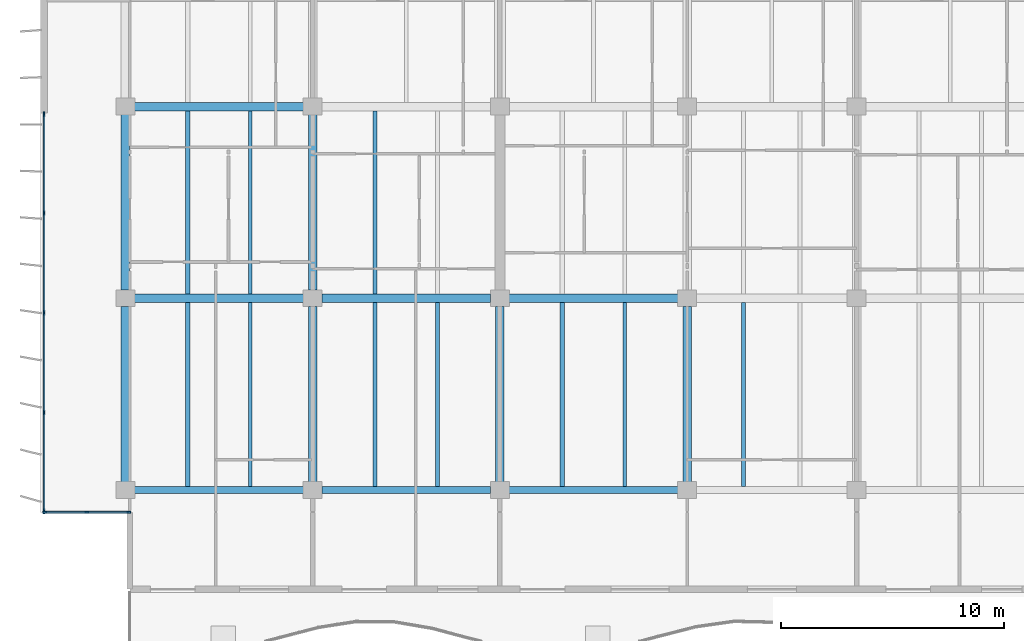
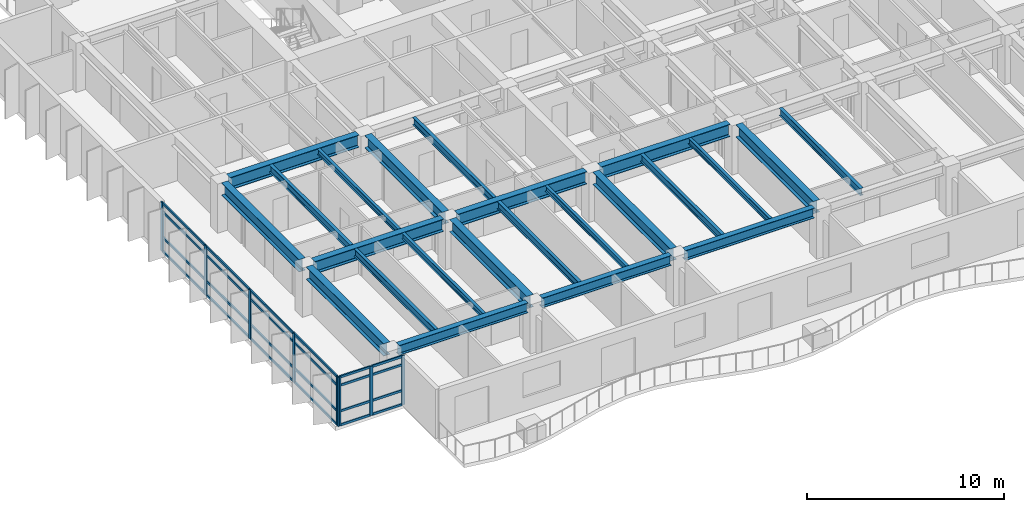
# One storey, part 2 of 19: 32 members, 23 beams, 2 elements without a shape of their own.
"""IFC4 building model written with IfcOpenShell, lengths in metres."""

from ifc_helpers import new_model, si_unit, direction, frame, origin, origin_2d, place, context, subcontext, project, spatial, rectangle, i_section, extrude, material, layer, layer_set, material_profile, profile_set, type_object, element, aggregate, save


model = new_model("IFC4")

# Units and contexts
model_context = context("Model", 3, precision=1e-05, world=origin(), true_north=direction((0.0, 1.0)))
body_context = subcontext(model_context, "Body", "Model", "MODEL_VIEW")
ifc_project = project(units=[si_unit("LENGTHUNIT", "METRE"), si_unit("AREAUNIT", "SQUARE_METRE"), si_unit("VOLUMEUNIT", "CUBIC_METRE"), si_unit("PLANEANGLEUNIT", "RADIAN"), si_unit("MASSUNIT", "GRAM", prefix="KILO")], contexts=[model_context])

# Site, building, storey
site_placement = place(None, origin())
site = spatial("IfcSite", under=ifc_project, at=site_placement, CompositionType="ELEMENT")
building_placement = place(site_placement, origin())
building = spatial("IfcBuilding", under=site, at=building_placement, Name="Caelmar Bay Residences", CompositionType="ELEMENT")
storey_placement = place(building_placement, frame((0.0, 0.0, 160.5)))
storey = spatial("IfcBuildingStorey", under=building, at=storey_placement, Name="L44", CompositionType="ELEMENT", Elevation=160.5)

# Beams
ifc_material_1 = material(Name="Steel ASTM A992 Grade 50", Category="steel")
ifc_material_profile_1 = material_profile(ifc_material_1, i_section(OverallWidth=0.381103515625, OverallDepth=0.77197265625, WebThickness=0.0166015625, FlangeThickness=0.027099609375, FilletRadius=0.0166015625, at=origin_2d()), Name="W30X173")
ifc_profile_set_1 = profile_set([ifc_material_profile_1], Name="Steel ASTM A992 Grade 50")
beam_type_1 = type_object("IfcBeamType", Name="BM-GRD-W30X173", PredefinedType="BEAM", material=ifc_profile_set_1)
beam_1_placement = place(storey_placement, frame((10.31494140625, 20.800048828125, 2.6640625), z_axis=(1.0, 0.0, 0.0), x_axis=(0.0, 1.0, 0.0)))
element("IfcBeam", 1, at=beam_1_placement, inside=storey, type_object=beam_type_1, Name="L44 East-West Girder Y=20.80 (9.9-18.3)", PredefinedType="BEAM", context=body_context, shape_type="SweptSolid", body=[
    extrude(i_section(OverallWidth=0.381103515625, OverallDepth=0.77197265625, WebThickness=0.0166015625, FlangeThickness=0.027099609375, FilletRadius=0.0166015625, at=origin_2d()), origin(), (0.0, 0.0, 1.0), 7.570068359375),
])
beam_2_placement = place(storey_placement, frame((18.715087890625, 20.800048828125, 2.6640625), z_axis=(1.0, 0.0, 0.0), x_axis=(0.0, 1.0, 0.0)))
element("IfcBeam", 2, at=beam_2_placement, inside=storey, type_object=beam_type_1, Name="L44 East-West Girder Y=20.80 (18.3-26.7)", PredefinedType="BEAM", context=body_context, shape_type="SweptSolid", body=[
    extrude(i_section(OverallWidth=0.381103515625, OverallDepth=0.77197265625, WebThickness=0.0166015625, FlangeThickness=0.027099609375, FilletRadius=0.0166015625, at=origin_2d()), origin(), (0.0, 0.0, 1.0), 7.56982421875),
])
for number, where, z_axis, x_axis, name in (
    (3, (27.114990234375, 20.800048828125, 2.6640625), (1.0, 0.0, 0.0), (0.0, 1.0, 0.0), "L44 East-West Girder Y=20.80 (26.7-35.1)"),
    (4, (10.31494140625, 29.39990234375, 2.6640625), (1.0, 0.0, 0.0), (0.0, 1.0, 0.0), "L44 East-West Girder Y=29.40 (9.9-18.3)"),
):
    element("IfcBeam", number, at=place(storey_placement, frame(where, z_axis=z_axis, x_axis=x_axis)), inside=storey, type_object=beam_type_1, Name=name, PredefinedType="BEAM", context=body_context, shape_type="SweptSolid", body=[
        extrude(i_section(OverallWidth=0.381103515625, OverallDepth=0.77197265625, WebThickness=0.0166015625, FlangeThickness=0.027099609375, FilletRadius=0.0166015625, at=origin_2d()), origin(), (0.0, 0.0, 1.0), 7.570068359375),
    ])
beam_3_placement = place(storey_placement, frame((9.89990234375, 12.56494140625, 2.6640625), z_axis=(0.0, 1.0, 0.0), x_axis=(-1.0, 0.0, 0.0)))
element("IfcBeam", 5, at=beam_3_placement, inside=storey, type_object=beam_type_1, Name="L44 North-South Girder X=9.90 (12.2-20.8)", PredefinedType="BEAM", context=body_context, shape_type="SweptSolid", body=[
    extrude(i_section(OverallWidth=0.381103515625, OverallDepth=0.77197265625, WebThickness=0.0166015625, FlangeThickness=0.027099609375, FilletRadius=0.0166015625, at=origin_2d()), origin(), (0.0, 0.0, 1.0), 7.8701171875),
])
beam_4_placement = place(storey_placement, frame((9.89990234375, 21.1650390625, 2.6640625), z_axis=(0.0, 1.0, 0.0), x_axis=(-1.0, 0.0, 0.0)))
element("IfcBeam", 6, at=beam_4_placement, inside=storey, type_object=beam_type_1, Name="L44 North-South Girder X=9.90 (20.8-29.4)", PredefinedType="BEAM", context=body_context, shape_type="SweptSolid", body=[
    extrude(i_section(OverallWidth=0.381103515625, OverallDepth=0.77197265625, WebThickness=0.0166015625, FlangeThickness=0.027099609375, FilletRadius=0.0166015625, at=origin_2d()), origin(), (0.0, 0.0, 1.0), 7.869873046875),
])
beam_5_placement = place(storey_placement, frame((18.300048828125, 12.56494140625, 2.6640625), z_axis=(0.0, 1.0, 0.0), x_axis=(-1.0, 0.0, 0.0)))
element("IfcBeam", 7, at=beam_5_placement, inside=storey, type_object=beam_type_1, Name="L44 North-South Girder X=18.30 (12.2-20.8)", PredefinedType="BEAM", context=body_context, shape_type="SweptSolid", body=[
    extrude(i_section(OverallWidth=0.381103515625, OverallDepth=0.77197265625, WebThickness=0.0166015625, FlangeThickness=0.027099609375, FilletRadius=0.0166015625, at=origin_2d()), origin(), (0.0, 0.0, 1.0), 7.8701171875),
])
beam_6_placement = place(storey_placement, frame((18.300048828125, 21.1650390625, 2.6640625), z_axis=(0.0, 1.0, 0.0), x_axis=(-1.0, 0.0, 0.0)))
element("IfcBeam", 8, at=beam_6_placement, inside=storey, type_object=beam_type_1, Name="L44 North-South Girder X=18.30 (20.8-29.4)", PredefinedType="BEAM", context=body_context, shape_type="SweptSolid", body=[
    extrude(i_section(OverallWidth=0.381103515625, OverallDepth=0.77197265625, WebThickness=0.0166015625, FlangeThickness=0.027099609375, FilletRadius=0.0166015625, at=origin_2d()), origin(), (0.0, 0.0, 1.0), 7.869873046875),
])
for number, where, z_axis, x_axis, name in (
    (9, (26.699951171875, 12.56494140625, 2.6640625), (0.0, 1.0, 0.0), (-1.0, 0.0, 0.0), "L44 North-South Girder X=26.70 (12.2-20.8)"),
    (10, (35.10009765625, 12.56494140625, 2.6640625), (0.0, 1.0, 0.0), (-1.0, 0.0, 0.0), "L44 North-South Girder X=35.10 (12.2-20.8)"),
):
    element("IfcBeam", number, at=place(storey_placement, frame(where, z_axis=z_axis, x_axis=x_axis)), inside=storey, type_object=beam_type_1, Name=name, PredefinedType="BEAM", context=body_context, shape_type="SweptSolid", body=[
        extrude(i_section(OverallWidth=0.381103515625, OverallDepth=0.77197265625, WebThickness=0.0166015625, FlangeThickness=0.027099609375, FilletRadius=0.0166015625, at=origin_2d()), origin(), (0.0, 0.0, 1.0), 7.8701171875),
    ])
ifc_material_profile_2 = material_profile(ifc_material_1, i_section(OverallWidth=0.1708984375, OverallDepth=0.35595703125, WebThickness=0.007080078125, FlangeThickness=0.01171875, FilletRadius=0.007568359375, at=origin_2d()), Name="W14X34")
ifc_profile_set_2 = profile_set([ifc_material_profile_2], Name="Steel ASTM A992 Grade 50")
beam_type_2 = type_object("IfcBeamType", Name="BM-JST-W14X34", PredefinedType="JOIST", material=ifc_profile_set_2)
for number, where, z_axis, x_axis, name in (
    (11, (15.5, 12.362548828125, 2.8720703125), (0.0, 1.0, 0.0), (-1.0, 0.0, 0.0), "L44 Composite Floor Joist 2"),
    (12, (23.89990234375, 12.362548828125, 2.8720703125), (0.0, 1.0, 0.0), (-1.0, 0.0, 0.0), "L44 Composite Floor Joist 4"),
    (13, (32.300048828125, 12.362548828125, 2.8720703125), (0.0, 1.0, 0.0), (-1.0, 0.0, 0.0), "L44 Composite Floor Joist 6"),
):
    element("IfcBeam", number, at=place(storey_placement, frame(where, z_axis=z_axis, x_axis=x_axis)), inside=storey, type_object=beam_type_2, Name=name, PredefinedType="JOIST", context=body_context, shape_type="SweptSolid", body=[
        extrude(i_section(OverallWidth=0.1708984375, OverallDepth=0.35595703125, WebThickness=0.007080078125, FlangeThickness=0.01171875, FilletRadius=0.007568359375, at=origin_2d()), origin(), (0.0, 0.0, 1.0), 8.2470703125),
    ])
beam_7_placement = place(storey_placement, frame((15.5, 20.990478515625, 2.8720703125), z_axis=(0.0, 1.0, 0.0), x_axis=(-1.0, 0.0, 0.0)))
element("IfcBeam", 14, at=beam_7_placement, inside=storey, type_object=beam_type_2, Name="L44 Composite Floor Joist 16", PredefinedType="JOIST", context=body_context, shape_type="SweptSolid", body=[
    extrude(i_section(OverallWidth=0.1708984375, OverallDepth=0.35595703125, WebThickness=0.007080078125, FlangeThickness=0.01171875, FilletRadius=0.007568359375, at=origin_2d()), origin(), (0.0, 0.0, 1.0), 8.218994140625),
])
ifc_material_profile_3 = material_profile(ifc_material_1, i_section(OverallWidth=0.19091796875, OverallDepth=0.45703125, WebThickness=0.009033203125, FlangeThickness=0.014404296875, FilletRadius=0.01025390625, at=origin_2d()), Name="W18X50")
ifc_profile_set_3 = profile_set([ifc_material_profile_3], Name="Steel ASTM A992 Grade 50")
beam_type_3 = type_object("IfcBeamType", Name="BM-JST-W18X50", PredefinedType="JOIST", material=ifc_profile_set_3)
for number, where, z_axis, x_axis, name in (
    (15, (12.699951171875, 12.362548828125, 2.821533203125), (0.0, 1.0, 0.0), (-1.0, 0.0, 0.0), "L44 Composite Floor Joist 1"),
    (16, (21.10009765625, 12.362548828125, 2.821533203125), (0.0, 1.0, 0.0), (-1.0, 0.0, 0.0), "L44 Composite Floor Joist 3"),
    (17, (29.5, 12.362548828125, 2.821533203125), (0.0, 1.0, 0.0), (-1.0, 0.0, 0.0), "L44 Composite Floor Joist 5"),
    (18, (37.63330078125, 12.362548828125, 2.821533203125), (0.0, 1.0, 0.0), (-1.0, 0.0, 0.0), "L44 Composite Floor Joist 7"),
):
    element("IfcBeam", number, at=place(storey_placement, frame(where, z_axis=z_axis, x_axis=x_axis)), inside=storey, type_object=beam_type_3, Name=name, PredefinedType="JOIST", context=body_context, shape_type="SweptSolid", body=[
        extrude(i_section(OverallWidth=0.19091796875, OverallDepth=0.45703125, WebThickness=0.009033203125, FlangeThickness=0.014404296875, FilletRadius=0.01025390625, at=origin_2d()), origin(), (0.0, 0.0, 1.0), 8.2470703125),
    ])
for number, where, z_axis, x_axis, name in (
    (19, (12.699951171875, 20.990478515625, 2.821533203125), (0.0, 1.0, 0.0), (-1.0, 0.0, 0.0), "L44 Composite Floor Joist 15"),
    (20, (21.10009765625, 20.990478515625, 2.821533203125), (0.0, 1.0, 0.0), (-1.0, 0.0, 0.0), "L44 Composite Floor Joist 17"),
):
    element("IfcBeam", number, at=place(storey_placement, frame(where, z_axis=z_axis, x_axis=x_axis)), inside=storey, type_object=beam_type_3, Name=name, PredefinedType="JOIST", context=body_context, shape_type="SweptSolid", body=[
        extrude(i_section(OverallWidth=0.19091796875, OverallDepth=0.45703125, WebThickness=0.009033203125, FlangeThickness=0.014404296875, FilletRadius=0.01025390625, at=origin_2d()), origin(), (0.0, 0.0, 1.0), 8.218994140625),
    ])
ifc_material_profile_4 = material_profile(ifc_material_1, i_section(OverallWidth=0.324951171875, OverallDepth=0.616943359375, WebThickness=0.013916015625, FlangeThickness=0.021484375, FilletRadius=0.0126953125, at=origin_2d()), Name="W24X117")
ifc_profile_set_4 = profile_set([ifc_material_profile_4], Name="Steel ASTM A992 Grade 50")
beam_type_4 = type_object("IfcBeamType", Name="BM-SPN-W24X117", PredefinedType="SPANDREL", material=ifc_profile_set_4)
beam_8_placement = place(storey_placement, frame((10.31494140625, 12.199951171875, 2.741455078125), z_axis=(1.0, 0.0, 0.0), x_axis=(0.0, 1.0, 0.0)))
element("IfcBeam", 21, at=beam_8_placement, inside=storey, type_object=beam_type_4, Name="L44 East-West Girder Y=12.20 (9.9-18.3)", PredefinedType="SPANDREL", context=body_context, shape_type="SweptSolid", body=[
    extrude(i_section(OverallWidth=0.324951171875, OverallDepth=0.616943359375, WebThickness=0.013916015625, FlangeThickness=0.021484375, FilletRadius=0.0126953125, at=origin_2d()), origin(), (0.0, 0.0, 1.0), 7.570068359375),
])
beam_9_placement = place(storey_placement, frame((18.715087890625, 12.199951171875, 2.741455078125), z_axis=(1.0, 0.0, 0.0), x_axis=(0.0, 1.0, 0.0)))
element("IfcBeam", 22, at=beam_9_placement, inside=storey, type_object=beam_type_4, Name="L44 East-West Girder Y=12.20 (18.3-26.7)", PredefinedType="SPANDREL", context=body_context, shape_type="SweptSolid", body=[
    extrude(i_section(OverallWidth=0.324951171875, OverallDepth=0.616943359375, WebThickness=0.013916015625, FlangeThickness=0.021484375, FilletRadius=0.0126953125, at=origin_2d()), origin(), (0.0, 0.0, 1.0), 7.56982421875),
])
beam_10_placement = place(storey_placement, frame((27.114990234375, 12.199951171875, 2.741455078125), z_axis=(1.0, 0.0, 0.0), x_axis=(0.0, 1.0, 0.0)))
element("IfcBeam", 23, at=beam_10_placement, inside=storey, type_object=beam_type_4, Name="L44 East-West Girder Y=12.20 (26.7-35.1)", PredefinedType="SPANDREL", context=body_context, shape_type="SweptSolid", body=[
    extrude(i_section(OverallWidth=0.324951171875, OverallDepth=0.616943359375, WebThickness=0.013916015625, FlangeThickness=0.021484375, FilletRadius=0.0126953125, at=origin_2d()), origin(), (0.0, 0.0, 1.0), 7.570068359375),
])

# Curtain wall, members
ifc_material_2 = material(Name="Anodised bronze aluminium 6063-T6 and laminated glass", Category="aluminium")
ifc_layer_1 = layer(ifc_material_2, 0.179931640625)
ifc_layer_set_1 = layer_set([ifc_layer_1], Name="Anodised bronze aluminium 6063-T6 and laminated glass")
curtain_wall_type_1 = type_object("IfcCurtainWallType", Name="CW6-NTC", PredefinedType="NOTDEFINED", material=ifc_layer_set_1)
curtain_wall_1_placement = place(storey_placement, origin())
curtain_wall_1 = element("IfcCurtainWall", 24, at=curtain_wall_1_placement, inside=storey, type_object=curtain_wall_type_1, Name="CW6 curtain wall L44", PredefinedType="NOTDEFINED")
ifc_material_3 = material(Name="Anodised bronze aluminium 6063-T6", Category="aluminium")
ifc_material_profile_5 = material_profile(ifc_material_3, rectangle(XDim=0.080078125, YDim=0.179931640625, at=origin_2d()), Name="CWM-80X180")
ifc_profile_set_5 = profile_set([ifc_material_profile_5], Name="Anodised bronze aluminium 6063-T6")
member_type_1 = type_object("IfcMemberType", Name="CWM-180", PredefinedType="MULLION", material=ifc_profile_set_5)
member_1_placement = place(storey_placement, frame((6.2900390625, 11.199951171875, 0.0), z_axis=(0.0, 0.0, 1.0), x_axis=(0.0, 1.0, 0.0)))
member_1 = element("IfcMember", 25, at=member_1_placement, type_object=member_type_1, Name="CW6 mullion 1", PredefinedType="MULLION", context=body_context, shape_type="SweptSolid", body=[
    extrude(rectangle(XDim=0.080078125, YDim=0.179931640625, at=origin_2d()), origin(), (0.0, 0.0, 1.0), 3.050048828125),
])
member_2_placement = place(storey_placement, frame((8.175048828125, 11.199951171875, 0.0), z_axis=(0.0, 0.0, 1.0), x_axis=(0.0, 1.0, 0.0)))
member_2 = element("IfcMember", 26, at=member_2_placement, type_object=member_type_1, Name="CW6 mullion 2", PredefinedType="MULLION", context=body_context, shape_type="SweptSolid", body=[
    extrude(rectangle(XDim=0.080078125, YDim=0.179931640625, at=origin_2d()), origin(), (0.0, 0.0, 1.0), 3.050048828125),
])
member_3_placement = place(storey_placement, frame((10.06005859375, 11.199951171875, 0.0), z_axis=(0.0, 0.0, 1.0), x_axis=(0.0, 1.0, 0.0)))
member_3 = element("IfcMember", 27, at=member_3_placement, type_object=member_type_1, Name="CW6 mullion 3", PredefinedType="MULLION", context=body_context, shape_type="SweptSolid", body=[
    extrude(rectangle(XDim=0.080078125, YDim=0.179931640625, at=origin_2d()), origin(), (0.0, 0.0, 1.0), 3.050048828125),
])

ifc_layer_2 = layer(ifc_material_2, 0.179931640625)
ifc_layer_set_2 = layer_set([ifc_layer_2], Name="Anodised bronze aluminium 6063-T6 and laminated glass")
curtain_wall_type_2 = type_object("IfcCurtainWallType", Name="CW4-Z3", PredefinedType="NOTDEFINED", material=ifc_layer_set_2)
curtain_wall_2_placement = place(storey_placement, origin())
curtain_wall_2 = element("IfcCurtainWall", 28, at=curtain_wall_2_placement, inside=storey, type_object=curtain_wall_type_2, Name="CW4 curtain wall L44", PredefinedType="NOTDEFINED")
ifc_material_profile_6 = material_profile(ifc_material_3, rectangle(XDim=0.080078125, YDim=0.219970703125, at=origin_2d()), Name="CWM-80X220")
ifc_profile_set_6 = profile_set([ifc_material_profile_6], Name="Anodised bronze aluminium 6063-T6")
member_type_2 = type_object("IfcMemberType", Name="CWM-220", PredefinedType="MULLION", material=ifc_profile_set_6)
member_4_placement = place(storey_placement, frame((6.25, 11.239990234375, 0.0), z_axis=(0.0, 0.0, 1.0), x_axis=(-1.0, 0.0, 0.0)))
member_4 = element("IfcMember", 29, at=member_4_placement, type_object=member_type_2, Name="CW4 mullion 1", PredefinedType="MULLION", context=body_context, shape_type="SweptSolid", body=[
    extrude(rectangle(XDim=0.080078125, YDim=0.219970703125, at=origin_2d()), origin(), (0.0, 0.0, 1.0), 3.050048828125),
])
member_5_placement = place(storey_placement, frame((6.25, 15.675048828125, 0.0), z_axis=(0.0, 0.0, 1.0), x_axis=(-1.0, 0.0, 0.0)))
member_5 = element("IfcMember", 30, at=member_5_placement, type_object=member_type_2, Name="CW4 mullion 2", PredefinedType="MULLION", context=body_context, shape_type="SweptSolid", body=[
    extrude(rectangle(XDim=0.080078125, YDim=0.219970703125, at=origin_2d()), origin(), (0.0, 0.0, 1.0), 3.050048828125),
])
member_6_placement = place(storey_placement, frame((6.25, 20.14990234375, 0.0), z_axis=(0.0, 0.0, 1.0), x_axis=(-1.0, 0.0, 0.0)))
member_6 = element("IfcMember", 31, at=member_6_placement, type_object=member_type_2, Name="CW4 mullion 3", PredefinedType="MULLION", context=body_context, shape_type="SweptSolid", body=[
    extrude(rectangle(XDim=0.080078125, YDim=0.219970703125, at=origin_2d()), origin(), (0.0, 0.0, 1.0), 3.050048828125),
])
member_7_placement = place(storey_placement, frame((6.25, 24.625, 0.0), z_axis=(0.0, 0.0, 1.0), x_axis=(-1.0, 0.0, 0.0)))
member_7 = element("IfcMember", 32, at=member_7_placement, type_object=member_type_2, Name="CW4 mullion 4", PredefinedType="MULLION", context=body_context, shape_type="SweptSolid", body=[
    extrude(rectangle(XDim=0.080078125, YDim=0.219970703125, at=origin_2d()), origin(), (0.0, 0.0, 1.0), 3.050048828125),
])
member_8_placement = place(storey_placement, frame((6.25, 29.06005859375, 0.0), z_axis=(0.0, 0.0, 1.0), x_axis=(-1.0, 0.0, 0.0)))
member_8 = element("IfcMember", 33, at=member_8_placement, type_object=member_type_2, Name="CW4 mullion 5", PredefinedType="MULLION", context=body_context, shape_type="SweptSolid", body=[
    extrude(rectangle(XDim=0.080078125, YDim=0.219970703125, at=origin_2d()), origin(), (0.0, 0.0, 1.0), 3.050048828125),
])

# Member
ifc_material_profile_7 = material_profile(ifc_material_3, rectangle(XDim=0.080078125, YDim=0.139892578125, at=origin_2d()), Name="CWT-80X140")
ifc_profile_set_7 = profile_set([ifc_material_profile_7], Name="Anodised bronze aluminium 6063-T6")
member_type_3 = type_object("IfcMemberType", Name="CWT-140", PredefinedType="NOTDEFINED", material=ifc_profile_set_7)
member_9_placement = place(storey_placement, frame((6.330078125, 11.199951171875, 0.0400390625), z_axis=(1.0, 0.0, 0.0), x_axis=(0.0, 1.0, 0.0)))
member_9 = element("IfcMember", 34, at=member_9_placement, type_object=member_type_3, Name="CW6 transom 1.1", ObjectType="TRANSOM", PredefinedType="USERDEFINED", context=body_context, shape_type="SweptSolid", body=[
    extrude(rectangle(XDim=0.080078125, YDim=0.139892578125, at=origin_2d()), origin(), (0.0, 0.0, 1.0), 1.804931640625),
])

member_10_placement = place(storey_placement, frame((6.330078125, 11.199951171875, 0.89990234375), z_axis=(1.0, 0.0, 0.0), x_axis=(0.0, 1.0, 0.0)))
member_10 = element("IfcMember", 35, at=member_10_placement, type_object=member_type_3, Name="CW6 transom 1.2", ObjectType="TRANSOM", PredefinedType="USERDEFINED", context=body_context, shape_type="SweptSolid", body=[
    extrude(rectangle(XDim=0.080078125, YDim=0.139892578125, at=origin_2d()), origin(), (0.0, 0.0, 1.0), 1.804931640625),
])

member_11_placement = place(storey_placement, frame((6.330078125, 11.199951171875, 2.5), z_axis=(1.0, 0.0, 0.0), x_axis=(0.0, 1.0, 0.0)))
member_11 = element("IfcMember", 36, at=member_11_placement, type_object=member_type_3, Name="CW6 transom 1.3", ObjectType="TRANSOM", PredefinedType="USERDEFINED", context=body_context, shape_type="SweptSolid", body=[
    extrude(rectangle(XDim=0.080078125, YDim=0.139892578125, at=origin_2d()), origin(), (0.0, 0.0, 1.0), 1.804931640625),
])

member_12_placement = place(storey_placement, frame((6.330078125, 11.199951171875, 3.010009765625), z_axis=(1.0, 0.0, 0.0), x_axis=(0.0, 1.0, 0.0)))
member_12 = element("IfcMember", 37, at=member_12_placement, type_object=member_type_3, Name="CW6 transom 1.4", ObjectType="TRANSOM", PredefinedType="USERDEFINED", context=body_context, shape_type="SweptSolid", body=[
    extrude(rectangle(XDim=0.080078125, YDim=0.139892578125, at=origin_2d()), origin(), (0.0, 0.0, 1.0), 1.804931640625),
])

member_13_placement = place(storey_placement, frame((8.215087890625, 11.199951171875, 0.0400390625), z_axis=(1.0, 0.0, 0.0), x_axis=(0.0, 1.0, 0.0)))
member_13 = element("IfcMember", 38, at=member_13_placement, type_object=member_type_3, Name="CW6 transom 2.1", ObjectType="TRANSOM", PredefinedType="USERDEFINED", context=body_context, shape_type="SweptSolid", body=[
    extrude(rectangle(XDim=0.080078125, YDim=0.139892578125, at=origin_2d()), origin(), (0.0, 0.0, 1.0), 1.804931640625),
])

member_14_placement = place(storey_placement, frame((8.215087890625, 11.199951171875, 0.89990234375), z_axis=(1.0, 0.0, 0.0), x_axis=(0.0, 1.0, 0.0)))
member_14 = element("IfcMember", 39, at=member_14_placement, type_object=member_type_3, Name="CW6 transom 2.2", ObjectType="TRANSOM", PredefinedType="USERDEFINED", context=body_context, shape_type="SweptSolid", body=[
    extrude(rectangle(XDim=0.080078125, YDim=0.139892578125, at=origin_2d()), origin(), (0.0, 0.0, 1.0), 1.804931640625),
])

member_15_placement = place(storey_placement, frame((8.215087890625, 11.199951171875, 2.5), z_axis=(1.0, 0.0, 0.0), x_axis=(0.0, 1.0, 0.0)))
member_15 = element("IfcMember", 40, at=member_15_placement, type_object=member_type_3, Name="CW6 transom 2.3", ObjectType="TRANSOM", PredefinedType="USERDEFINED", context=body_context, shape_type="SweptSolid", body=[
    extrude(rectangle(XDim=0.080078125, YDim=0.139892578125, at=origin_2d()), origin(), (0.0, 0.0, 1.0), 1.804931640625),
])

member_16_placement = place(storey_placement, frame((8.215087890625, 11.199951171875, 3.010009765625), z_axis=(1.0, 0.0, 0.0), x_axis=(0.0, 1.0, 0.0)))
member_16 = element("IfcMember", 41, at=member_16_placement, type_object=member_type_3, Name="CW6 transom 2.4", ObjectType="TRANSOM", PredefinedType="USERDEFINED", context=body_context, shape_type="SweptSolid", body=[
    extrude(rectangle(XDim=0.080078125, YDim=0.139892578125, at=origin_2d()), origin(), (0.0, 0.0, 1.0), 1.804931640625),
])

aggregate(curtain_wall_1, [member_1, member_2, member_3, member_9, member_10, member_11, member_12, member_13, member_14, member_15, member_16])

member_17_placement = place(storey_placement, frame((6.25, 11.280029296875, 0.0400390625), z_axis=(0.0, 1.0, 0.0), x_axis=(-1.0, 0.0, 0.0)))
member_17 = element("IfcMember", 42, at=member_17_placement, type_object=member_type_3, Name="CW4 transom 1.1", ObjectType="TRANSOM", PredefinedType="USERDEFINED", context=body_context, shape_type="SweptSolid", body=[
    extrude(rectangle(XDim=0.080078125, YDim=0.139892578125, at=origin_2d()), origin(), (0.0, 0.0, 1.0), 4.35498046875),
])

member_18_placement = place(storey_placement, frame((6.25, 11.280029296875, 0.89990234375), z_axis=(0.0, 1.0, 0.0), x_axis=(-1.0, 0.0, 0.0)))
member_18 = element("IfcMember", 43, at=member_18_placement, type_object=member_type_3, Name="CW4 transom 1.2", ObjectType="TRANSOM", PredefinedType="USERDEFINED", context=body_context, shape_type="SweptSolid", body=[
    extrude(rectangle(XDim=0.080078125, YDim=0.139892578125, at=origin_2d()), origin(), (0.0, 0.0, 1.0), 4.35498046875),
])

member_19_placement = place(storey_placement, frame((6.25, 11.280029296875, 2.5), z_axis=(0.0, 1.0, 0.0), x_axis=(-1.0, 0.0, 0.0)))
member_19 = element("IfcMember", 44, at=member_19_placement, type_object=member_type_3, Name="CW4 transom 1.3", ObjectType="TRANSOM", PredefinedType="USERDEFINED", context=body_context, shape_type="SweptSolid", body=[
    extrude(rectangle(XDim=0.080078125, YDim=0.139892578125, at=origin_2d()), origin(), (0.0, 0.0, 1.0), 4.35498046875),
])

member_20_placement = place(storey_placement, frame((6.25, 11.280029296875, 3.010009765625), z_axis=(0.0, 1.0, 0.0), x_axis=(-1.0, 0.0, 0.0)))
member_20 = element("IfcMember", 45, at=member_20_placement, type_object=member_type_3, Name="CW4 transom 1.4", ObjectType="TRANSOM", PredefinedType="USERDEFINED", context=body_context, shape_type="SweptSolid", body=[
    extrude(rectangle(XDim=0.080078125, YDim=0.139892578125, at=origin_2d()), origin(), (0.0, 0.0, 1.0), 4.35498046875),
])

member_21_placement = place(storey_placement, frame((6.25, 15.715087890625, 0.0400390625), z_axis=(0.0, 1.0, 0.0), x_axis=(-1.0, 0.0, 0.0)))
member_21 = element("IfcMember", 46, at=member_21_placement, type_object=member_type_3, Name="CW4 transom 2.1", ObjectType="TRANSOM", PredefinedType="USERDEFINED", context=body_context, shape_type="SweptSolid", body=[
    extrude(rectangle(XDim=0.080078125, YDim=0.139892578125, at=origin_2d()), origin(), (0.0, 0.0, 1.0), 4.39501953125),
])

member_22_placement = place(storey_placement, frame((6.25, 15.715087890625, 0.89990234375), z_axis=(0.0, 1.0, 0.0), x_axis=(-1.0, 0.0, 0.0)))
member_22 = element("IfcMember", 47, at=member_22_placement, type_object=member_type_3, Name="CW4 transom 2.2", ObjectType="TRANSOM", PredefinedType="USERDEFINED", context=body_context, shape_type="SweptSolid", body=[
    extrude(rectangle(XDim=0.080078125, YDim=0.139892578125, at=origin_2d()), origin(), (0.0, 0.0, 1.0), 4.39501953125),
])

member_23_placement = place(storey_placement, frame((6.25, 15.715087890625, 2.5), z_axis=(0.0, 1.0, 0.0), x_axis=(-1.0, 0.0, 0.0)))
member_23 = element("IfcMember", 48, at=member_23_placement, type_object=member_type_3, Name="CW4 transom 2.3", ObjectType="TRANSOM", PredefinedType="USERDEFINED", context=body_context, shape_type="SweptSolid", body=[
    extrude(rectangle(XDim=0.080078125, YDim=0.139892578125, at=origin_2d()), origin(), (0.0, 0.0, 1.0), 4.39501953125),
])

member_24_placement = place(storey_placement, frame((6.25, 15.715087890625, 3.010009765625), z_axis=(0.0, 1.0, 0.0), x_axis=(-1.0, 0.0, 0.0)))
member_24 = element("IfcMember", 49, at=member_24_placement, type_object=member_type_3, Name="CW4 transom 2.4", ObjectType="TRANSOM", PredefinedType="USERDEFINED", context=body_context, shape_type="SweptSolid", body=[
    extrude(rectangle(XDim=0.080078125, YDim=0.139892578125, at=origin_2d()), origin(), (0.0, 0.0, 1.0), 4.39501953125),
])

member_25_placement = place(storey_placement, frame((6.25, 20.18994140625, 0.0400390625), z_axis=(0.0, 1.0, 0.0), x_axis=(-1.0, 0.0, 0.0)))
member_25 = element("IfcMember", 50, at=member_25_placement, type_object=member_type_3, Name="CW4 transom 3.1", ObjectType="TRANSOM", PredefinedType="USERDEFINED", context=body_context, shape_type="SweptSolid", body=[
    extrude(rectangle(XDim=0.080078125, YDim=0.139892578125, at=origin_2d()), origin(), (0.0, 0.0, 1.0), 4.39501953125),
])

member_26_placement = place(storey_placement, frame((6.25, 20.18994140625, 0.89990234375), z_axis=(0.0, 1.0, 0.0), x_axis=(-1.0, 0.0, 0.0)))
member_26 = element("IfcMember", 51, at=member_26_placement, type_object=member_type_3, Name="CW4 transom 3.2", ObjectType="TRANSOM", PredefinedType="USERDEFINED", context=body_context, shape_type="SweptSolid", body=[
    extrude(rectangle(XDim=0.080078125, YDim=0.139892578125, at=origin_2d()), origin(), (0.0, 0.0, 1.0), 4.39501953125),
])

member_27_placement = place(storey_placement, frame((6.25, 20.18994140625, 2.5), z_axis=(0.0, 1.0, 0.0), x_axis=(-1.0, 0.0, 0.0)))
member_27 = element("IfcMember", 52, at=member_27_placement, type_object=member_type_3, Name="CW4 transom 3.3", ObjectType="TRANSOM", PredefinedType="USERDEFINED", context=body_context, shape_type="SweptSolid", body=[
    extrude(rectangle(XDim=0.080078125, YDim=0.139892578125, at=origin_2d()), origin(), (0.0, 0.0, 1.0), 4.39501953125),
])

member_28_placement = place(storey_placement, frame((6.25, 20.18994140625, 3.010009765625), z_axis=(0.0, 1.0, 0.0), x_axis=(-1.0, 0.0, 0.0)))
member_28 = element("IfcMember", 53, at=member_28_placement, type_object=member_type_3, Name="CW4 transom 3.4", ObjectType="TRANSOM", PredefinedType="USERDEFINED", context=body_context, shape_type="SweptSolid", body=[
    extrude(rectangle(XDim=0.080078125, YDim=0.139892578125, at=origin_2d()), origin(), (0.0, 0.0, 1.0), 4.39501953125),
])

member_29_placement = place(storey_placement, frame((6.25, 24.6650390625, 0.0400390625), z_axis=(0.0, 1.0, 0.0), x_axis=(-1.0, 0.0, 0.0)))
member_29 = element("IfcMember", 54, at=member_29_placement, type_object=member_type_3, Name="CW4 transom 4.1", ObjectType="TRANSOM", PredefinedType="USERDEFINED", context=body_context, shape_type="SweptSolid", body=[
    extrude(rectangle(XDim=0.080078125, YDim=0.139892578125, at=origin_2d()), origin(), (0.0, 0.0, 1.0), 4.35498046875),
])

member_30_placement = place(storey_placement, frame((6.25, 24.6650390625, 0.89990234375), z_axis=(0.0, 1.0, 0.0), x_axis=(-1.0, 0.0, 0.0)))
member_30 = element("IfcMember", 55, at=member_30_placement, type_object=member_type_3, Name="CW4 transom 4.2", ObjectType="TRANSOM", PredefinedType="USERDEFINED", context=body_context, shape_type="SweptSolid", body=[
    extrude(rectangle(XDim=0.080078125, YDim=0.139892578125, at=origin_2d()), origin(), (0.0, 0.0, 1.0), 4.35498046875),
])

member_31_placement = place(storey_placement, frame((6.25, 24.6650390625, 2.5), z_axis=(0.0, 1.0, 0.0), x_axis=(-1.0, 0.0, 0.0)))
member_31 = element("IfcMember", 56, at=member_31_placement, type_object=member_type_3, Name="CW4 transom 4.3", ObjectType="TRANSOM", PredefinedType="USERDEFINED", context=body_context, shape_type="SweptSolid", body=[
    extrude(rectangle(XDim=0.080078125, YDim=0.139892578125, at=origin_2d()), origin(), (0.0, 0.0, 1.0), 4.35498046875),
])

member_32_placement = place(storey_placement, frame((6.25, 24.6650390625, 3.010009765625), z_axis=(0.0, 1.0, 0.0), x_axis=(-1.0, 0.0, 0.0)))
member_32 = element("IfcMember", 57, at=member_32_placement, type_object=member_type_3, Name="CW4 transom 4.4", ObjectType="TRANSOM", PredefinedType="USERDEFINED", context=body_context, shape_type="SweptSolid", body=[
    extrude(rectangle(XDim=0.080078125, YDim=0.139892578125, at=origin_2d()), origin(), (0.0, 0.0, 1.0), 4.35498046875),
])

aggregate(curtain_wall_2, [member_4, member_5, member_6, member_7, member_8, member_17, member_18, member_19, member_20, member_21, member_22, member_23, member_24, member_25, member_26, member_27, member_28, member_29, member_30, member_31, member_32])

save(model, "model.ifc")
